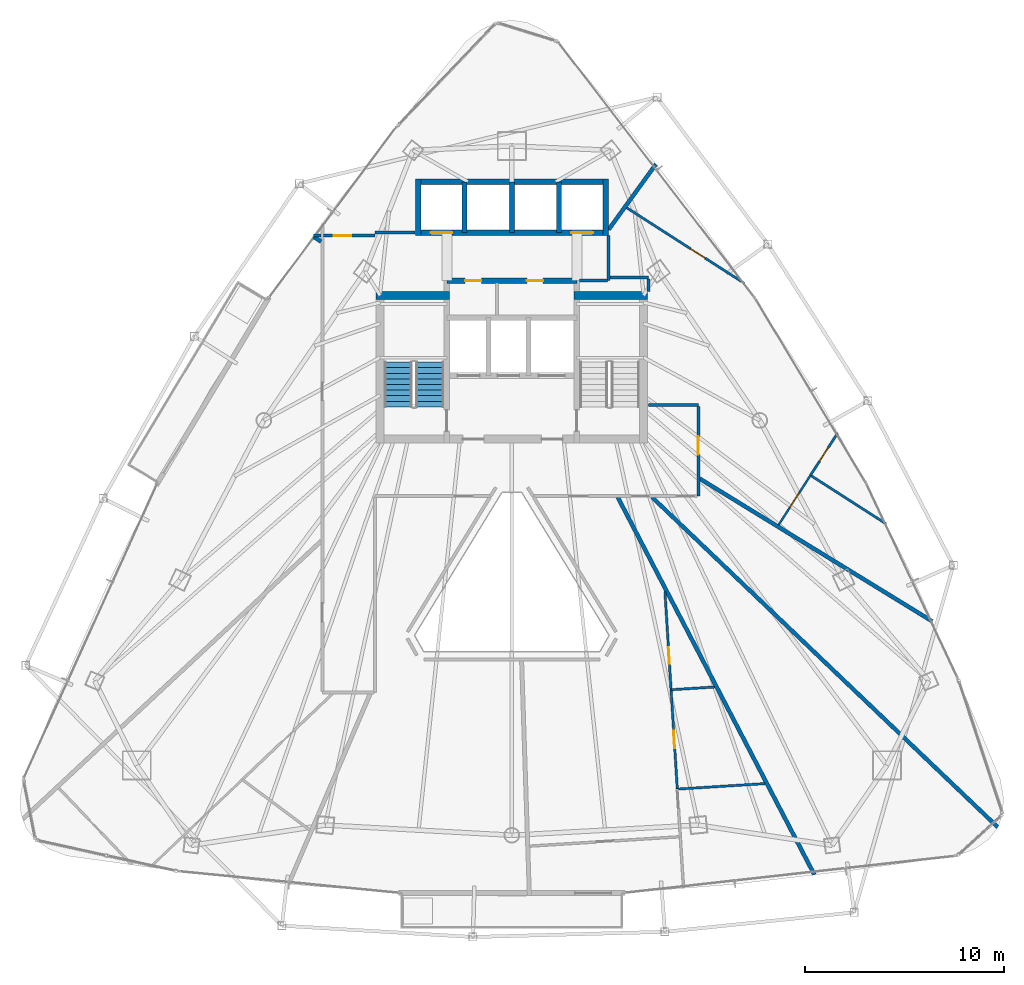
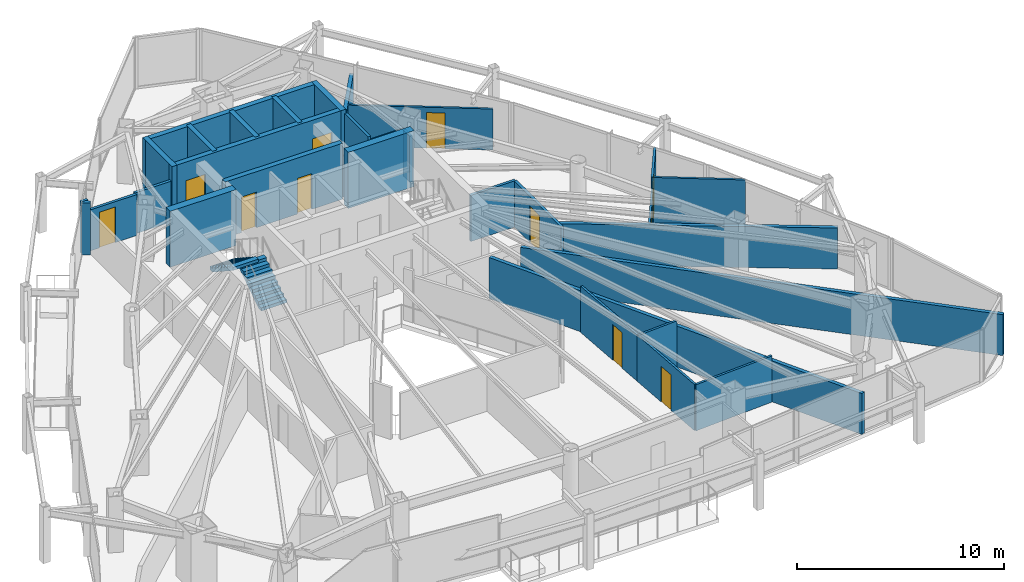
# One storey, part 25 of 29: 32 walls, 11 doors, 2 stair flights, 11 openings, 1 element without a shape of its own.
"""IFC4 building model written with IfcOpenShell, lengths in metres."""

from ifc_helpers import new_model, si_unit, direction, frame, frame_2d, origin, place, context, subcontext, project, spatial, polyline, rectangle, outline, extrude, material, layer, layer_set, type_object, element, fill, aggregate, save


model = new_model("IFC4")

# Units and contexts
model_context = context("Model", 3, precision=1e-05, world=origin(), true_north=direction((0.0, 1.0)))
body_context = subcontext(model_context, "Body", "Model", "MODEL_VIEW")
ifc_project = project(units=[si_unit("LENGTHUNIT", "METRE"), si_unit("AREAUNIT", "SQUARE_METRE"), si_unit("VOLUMEUNIT", "CUBIC_METRE"), si_unit("PLANEANGLEUNIT", "RADIAN"), si_unit("MASSUNIT", "GRAM", prefix="KILO")], contexts=[model_context])

# Site, building, storey
site_placement = place(None, origin())
site = spatial("IfcSite", under=ifc_project, at=site_placement, CompositionType="ELEMENT")
building_placement = place(site_placement, origin())
building = spatial("IfcBuilding", under=site, at=building_placement, Name="Orvanel Arch Residences", CompositionType="ELEMENT")
storey_placement = place(building_placement, frame((0.0, 0.0, 170.449951171875)))
storey = spatial("IfcBuildingStorey", under=building, at=storey_placement, Name="L48", CompositionType="ELEMENT", Elevation=170.449951171875)

# Walls
ifc_material_1 = material(Name="Concrete N50 (50 MPa)", Category="concrete")
ifc_layer_1 = layer(ifc_material_1, 0.25)
ifc_layer_set_1 = layer_set([ifc_layer_1], Name="Concrete N50 (50 MPa)")
wall_type_1 = type_object("IfcWallType", Name="SW-CORE-250", PredefinedType="SHEAR", material=ifc_layer_set_1)
for number, where, z_axis, x_axis, name in (
    (1, (30.625, 37.050048828125, 0.0), (0.0, 0.0, 1.0), (0.0, 1.0, 0.0), "L48 Passenger Lift Inter-Shaft Wall P35"),
    (2, (33.0, 37.050048828125, 0.0), (0.0, 0.0, 1.0), (0.0, 1.0, 0.0), "L48 Passenger Lift Inter-Shaft Wall P56"),
    (3, (35.375, 37.050048828125, 0.0), (0.0, 0.0, 1.0), (0.0, 1.0, 0.0), "L48 Passenger Lift Inter-Shaft Wall P64"),
):
    element("IfcWall", number, at=place(storey_placement, frame(where, z_axis=z_axis, x_axis=x_axis)), inside=storey, type_object=wall_type_1, Name=name, PredefinedType="SHEAR", context=body_context, shape_type="SweptSolid", body=[
        extrude(rectangle(XDim=2.550048828125, YDim=0.25, at=frame_2d((1.27490234375, 0.0))), origin(), (0.0, 0.0, 1.0), 3.300048828125),
    ])

# Wall, openings, doors
ifc_material_2 = material(Name="Concrete S65 (65 MPa)", Category="concrete")
ifc_layer_2 = layer(ifc_material_2, 0.280029296875)
ifc_layer_set_2 = layer_set([ifc_layer_2], Name="Concrete S65 (65 MPa)")
wall_type_2 = type_object("IfcWallType", Name="SW-CORE-280", PredefinedType="SHEAR", material=ifc_layer_set_2)
wall_1_placement = place(storey_placement, frame((29.739990234375, 34.64990234375, 0.0), z_axis=(0.0, 0.0, 1.0), x_axis=(1.0, 0.0, 0.0)))
wall_1 = element("IfcWall", 4, at=wall_1_placement, inside=storey, type_object=wall_type_2, Name="L48 Core Service Band North Shear Wall", PredefinedType="SHEAR", context=body_context, shape_type="SweptSolid", body=[
    extrude(rectangle(XDim=6.52001953125, YDim=0.280029296875, at=frame_2d((3.260009765625, 0.0))), origin(), (0.0, 0.0, 1.0), 3.300048828125),
])
opening_1_placement = place(wall_1_placement, frame((0.9150390625, 0.0, 0.0)))
opening_1 = element("IfcOpeningElement", 5, at=opening_1_placement, cuts=wall_1, Name="Opening DS-082", PredefinedType="OPENING", context=body_context, shape_type="SweptSolid", body=[
    extrude(rectangle(XDim=0.820068359375, YDim=2.10009765625, at=frame_2d((0.41015625, 1.050048828125))), frame((0.0, 0.14990234375, 0.0), z_axis=(0.0, -1.0, 0.0), x_axis=(1.0, 0.0, 0.0)), (0.0, 0.0, 1.0), 0.300048828125),
])
opening_2_placement = place(wall_1_placement, frame((4.014892578125, 0.0, 0.0)))
opening_2 = element("IfcOpeningElement", 6, at=opening_2_placement, cuts=wall_1, Name="Opening DW-082", PredefinedType="OPENING", context=body_context, shape_type="SweptSolid", body=[
    extrude(rectangle(XDim=0.820068359375, YDim=2.10009765625, at=frame_2d((0.41015625, 1.050048828125))), frame((0.0, 0.14990234375, 0.0), z_axis=(0.0, -1.0, 0.0), x_axis=(1.0, 0.0, 0.0)), (0.0, 0.0, 1.0), 0.300048828125),
])
ifc_material_3 = material(Name="Galvanised steel fire-resisting door assembly", Category="steel")
door_type_1 = type_object("IfcDoorType", Name="DR-SVC-820", OperationType="NOTDEFINED", PredefinedType="DOOR", material=ifc_material_3)
door_1_placement = place(opening_1_placement, origin())
door_1 = element("IfcDoor", 7, at=door_1_placement, inside=storey, type_object=door_type_1, Name="DR-L48-CSVC-1 L48 Floor Cleaner's Store Door", OperationType="SINGLE_SWING_LEFT", OverallHeight=2.10009765625, OverallWidth=0.820068359375, PredefinedType="DOOR", context=body_context, shape_type="SweptSolid", body=[
    extrude(rectangle(XDim=0.820068359375, YDim=2.10009765625, at=frame_2d((0.41015625, 1.050048828125))), frame((0.0, 0.02490234375, 0.0), z_axis=(0.0, -1.0, 0.0), x_axis=(1.0, 0.0, 0.0)), (0.0, 0.0, 1.0), 0.050048828125),
])
fill(opening_1, door_1)
ifc_material_4 = material(Name="Solid-core European oak veneer fire door leaf", Category="wood")
door_type_2 = type_object("IfcDoorType", Name="DR-WET-820", OperationType="NOTDEFINED", PredefinedType="DOOR", material=ifc_material_4)
door_2_placement = place(opening_2_placement, origin())
door_2 = element("IfcDoor", 8, at=door_2_placement, inside=storey, type_object=door_type_2, Name="DR-L48-CSVC-2 L48 Core Accessible WC Door", OperationType="SINGLE_SWING_LEFT", OverallHeight=2.10009765625, OverallWidth=0.820068359375, PredefinedType="DOOR", context=body_context, shape_type="SweptSolid", body=[
    extrude(rectangle(XDim=0.820068359375, YDim=2.10009765625, at=frame_2d((0.41015625, 1.050048828125))), frame((0.0, 0.02490234375, 0.0), z_axis=(0.0, -1.0, 0.0), x_axis=(1.0, 0.0, 0.0)), (0.0, 0.0, 1.0), 0.050048828125),
])
fill(opening_2, door_2)

wall_2_placement = place(storey_placement, frame((37.840087890625, 37.050048828125, 0.0), z_axis=(0.0, 0.0, 1.0), x_axis=(-1.0, 0.0, 0.0)))
wall_2 = element("IfcWall", 9, at=wall_2_placement, inside=storey, type_object=wall_type_2, Name="L48 Passenger Lift Bank Front Shear Wall", PredefinedType="SHEAR", context=body_context, shape_type="SweptSolid", body=[
    extrude(rectangle(XDim=9.68017578125, YDim=0.280029296875, at=frame_2d((4.840087890625, 0.0))), origin(), (0.0, 0.0, 1.0), 3.300048828125),
])
opening_3_placement = place(wall_2_placement, frame((7.81494140625, 0.0, 0.0)))
opening_3 = element("IfcOpeningElement", 10, at=opening_3_placement, cuts=wall_2, Name="Opening LD-110", PredefinedType="OPENING", context=body_context, shape_type="SweptSolid", body=[
    extrude(rectangle(XDim=1.10009765625, YDim=2.199951171875, at=frame_2d((0.550048828125, 1.10009765625))), frame((0.0, 0.14990234375, 0.0), z_axis=(0.0, -1.0, 0.0), x_axis=(1.0, 0.0, 0.0)), (0.0, 0.0, 1.0), 0.300048828125),
])
opening_4_placement = place(wall_2_placement, frame((0.764892578125, 0.0, 0.0)))
opening_4 = element("IfcOpeningElement", 11, at=opening_4_placement, cuts=wall_2, Name="Opening LD-110", PredefinedType="OPENING", context=body_context, shape_type="SweptSolid", body=[
    extrude(rectangle(XDim=1.10009765625, YDim=2.199951171875, at=frame_2d((0.550048828125, 1.10009765625))), frame((0.0, 0.14990234375, 0.0), z_axis=(0.0, -1.0, 0.0), x_axis=(1.0, 0.0, 0.0)), (0.0, 0.0, 1.0), 0.300048828125),
])
door_type_3 = type_object("IfcDoorType", Name="DR-LFT-1100", OperationType="NOTDEFINED", PredefinedType="DOOR", material=ifc_material_3)
door_3_placement = place(opening_3_placement, origin())
door_3 = element("IfcDoor", 12, at=door_3_placement, inside=storey, type_object=door_type_3, Name="LD-P3-L48 L48 Passenger Lift P3 Sliding Landing Door", OperationType="DOUBLE_DOOR_SLIDING", OverallHeight=2.199951171875, OverallWidth=1.10009765625, PredefinedType="DOOR", context=body_context, shape_type="SweptSolid", body=[
    extrude(rectangle(XDim=1.10009765625, YDim=2.199951171875, at=frame_2d((0.550048828125, 1.10009765625))), frame((0.0, 0.02490234375, 0.0), z_axis=(0.0, -1.0, 0.0), x_axis=(1.0, 0.0, 0.0)), (0.0, 0.0, 1.0), 0.050048828125),
])
fill(opening_3, door_3)
door_4_placement = place(opening_4_placement, origin())
door_4 = element("IfcDoor", 13, at=door_4_placement, inside=storey, type_object=door_type_3, Name="LD-P4-L48 L48 Passenger Lift P4 Sliding Landing Door", OperationType="DOUBLE_DOOR_SLIDING", OverallHeight=2.199951171875, OverallWidth=1.10009765625, PredefinedType="DOOR", context=body_context, shape_type="SweptSolid", body=[
    extrude(rectangle(XDim=1.10009765625, YDim=2.199951171875, at=frame_2d((0.550048828125, 1.10009765625))), frame((0.0, 0.02490234375, 0.0), z_axis=(0.0, -1.0, 0.0), x_axis=(1.0, 0.0, 0.0)), (0.0, 0.0, 1.0), 0.050048828125),
])
fill(opening_4, door_4)

# Walls
wall_3_placement = place(storey_placement, frame((28.159912109375, 39.60009765625, 0.0), z_axis=(0.0, 0.0, 1.0), x_axis=(1.0, 0.0, 0.0)))
element("IfcWall", 14, at=wall_3_placement, inside=storey, type_object=wall_type_2, Name="L48 Passenger Lift Bank North Shear Wall", PredefinedType="SHEAR", context=body_context, shape_type="SweptSolid", body=[
    extrude(rectangle(XDim=9.68017578125, YDim=0.280029296875, at=frame_2d((4.840087890625, 0.0))), origin(), (0.0, 0.0, 1.0), 3.300048828125),
])
for number, where, z_axis, x_axis, name in (
    (15, (28.300048828125, 36.909912109375, 0.0), (0.0, 0.0, 1.0), (0.0, 1.0, 0.0), "L48 Passenger Lift Bank West Shear Wall"),
    (16, (37.699951171875, 36.909912109375, 0.0), (0.0, 0.0, 1.0), (0.0, 1.0, 0.0), "L48 Passenger Lift Bank East Shear Wall"),
):
    element("IfcWall", number, at=place(storey_placement, frame(where, z_axis=z_axis, x_axis=x_axis)), inside=storey, type_object=wall_type_2, Name=name, PredefinedType="SHEAR", context=body_context, shape_type="SweptSolid", body=[
        extrude(rectangle(XDim=2.830078125, YDim=0.280029296875, at=frame_2d((1.4150390625, 0.0))), origin(), (0.0, 0.0, 1.0), 3.300048828125),
    ])
ifc_layer_3 = layer(ifc_material_2, 0.39990234375)
ifc_layer_set_3 = layer_set([ifc_layer_3], Name="Concrete S65 (65 MPa)")
wall_type_3 = type_object("IfcWallType", Name="SW-CORE-400", PredefinedType="SHEAR", material=ifc_layer_set_3)
for number, where, z_axis, x_axis, name in (
    (17, (26.199951171875, 33.89990234375, 0.0), (0.0, 0.0, 1.0), (1.0, 0.0, 0.0), "L48 West Stair North Shear Wall"),
    (18, (36.1201171875, 33.89990234375, 0.0), (0.0, 0.0, 1.0), (1.0, 0.0, 0.0), "L48 East Stair North Shear Wall"),
):
    element("IfcWall", number, at=place(storey_placement, frame(where, z_axis=z_axis, x_axis=x_axis)), inside=storey, type_object=wall_type_3, Name=name, PredefinedType="SHEAR", context=body_context, shape_type="SweptSolid", body=[
        extrude(rectangle(XDim=3.679931640625, YDim=0.39990234375, at=frame_2d((1.83984375, 0.0))), origin(), (0.0, 0.0, 1.0), 3.300048828125),
    ])
ifc_material_5 = material(Name="Fire-rated plasterboard lined steel stud partition", Category="steel")
ifc_layer_4 = layer(ifc_material_5, 0.14990234375)
ifc_layer_set_4 = layer_set([ifc_layer_4], Name="Fire-rated plasterboard lined steel stud partition")
wall_type_4 = type_object("IfcWallType", Name="W-COR-150", PredefinedType="PARTITIONING", material=ifc_layer_set_4)
wall_4_placement = place(storey_placement, frame((37.85009765625, 34.64990234375, 0.0), z_axis=(0.0, 0.0, 1.0), x_axis=(0.0, 1.0, 0.0)))
element("IfcWall", 19, at=wall_4_placement, inside=storey, type_object=wall_type_4, Name="L48 Passenger Lift Lobby East Closure Wall", PredefinedType="PARTITIONING", context=body_context, shape_type="SweptSolid", body=[
    extrude(rectangle(XDim=2.260009765625, YDim=0.14990234375, at=frame_2d((1.1298828125, 0.0))), origin(), (0.0, 0.0, 1.0), 3.06005859375),
])
wall_5_placement = place(storey_placement, frame((36.385009765625, 34.64990234375, 0.0), z_axis=(0.0, 0.0, 1.0), x_axis=(1.0, 0.0, 0.0)))
element("IfcWall", 20, at=wall_5_placement, inside=storey, type_object=wall_type_4, Name="L48 Passenger Lift Lobby South-East Wall", PredefinedType="PARTITIONING", context=body_context, shape_type="SweptSolid", body=[
    extrude(rectangle(XDim=1.405029296875, YDim=0.14990234375, at=frame_2d((0.70263671875, 0.0))), origin(), (0.0, 0.0, 1.0), 2.425048828125),
])
wall_6_placement = place(storey_placement, frame((23.06298828125, 36.89990234375, 0.0), z_axis=(0.0, 0.0, 1.0), x_axis=(1.0, 0.0, 0.0)))
element("IfcWall", 21, at=wall_6_placement, inside=storey, type_object=wall_type_4, Name="L48 Corridor Fire-Rated Partition", PredefinedType="PARTITIONING", context=body_context, shape_type="SweptSolid", body=[
    extrude(rectangle(XDim=0.376953125, YDim=0.14990234375, at=frame_2d((0.1884765625, 0.0))), origin(), (0.0, 0.0, 1.0), 3.06005859375),
])

# Wall, opening, door
wall_7_placement = place(storey_placement, frame((23.56005859375, 36.89990234375, 0.0), z_axis=(0.0, 0.0, 1.0), x_axis=(1.0, 0.0, 0.0)))
wall_7 = element("IfcWall", 22, at=wall_7_placement, inside=storey, type_object=wall_type_4, Name="L48 Corridor Fire-Rated Partition", PredefinedType="PARTITIONING", context=body_context, shape_type="SweptSolid", body=[
    extrude(rectangle(XDim=2.58984375, YDim=0.14990234375, at=frame_2d((1.294921875, 0.0))), origin(), (0.0, 0.0, 1.0), 2.4130859375),
])
opening_5_placement = place(wall_7_placement, frame((0.514892578125, 0.0, 0.0)))
opening_5 = element("IfcOpeningElement", 23, at=opening_5_placement, cuts=wall_7, Name="Opening DI-088", PredefinedType="OPENING", context=body_context, shape_type="SweptSolid", body=[
    extrude(rectangle(XDim=0.8798828125, YDim=2.10009765625, at=frame_2d((0.43994140625, 1.050048828125))), frame((0.0, 0.0849609375, 0.0), z_axis=(0.0, -1.0, 0.0), x_axis=(1.0, 0.0, 0.0)), (0.0, 0.0, 1.0), 0.169921875),
])
door_type_4 = type_object("IfcDoorType", Name="DR-INT-880", OperationType="NOTDEFINED", PredefinedType="DOOR", material=ifc_material_4)
door_5_placement = place(opening_5_placement, origin())
door_5 = element("IfcDoor", 24, at=door_5_placement, inside=storey, type_object=door_type_4, Name="DR-L48-SHRD-FB7 L48 Co-Working Study Office G Door", OperationType="SINGLE_SWING_LEFT", OverallHeight=2.10009765625, OverallWidth=0.8798828125, PredefinedType="DOOR", context=body_context, shape_type="SweptSolid", body=[
    extrude(rectangle(XDim=0.8798828125, YDim=2.10009765625, at=frame_2d((0.43994140625, 1.050048828125))), frame((0.0, 0.02490234375, 0.0), z_axis=(0.0, -1.0, 0.0), x_axis=(1.0, 0.0, 0.0)), (0.0, 0.0, 1.0), 0.050048828125),
])
fill(opening_5, door_5)

# Wall
wall_8_placement = place(storey_placement, frame((39.85009765625, 28.39990234375, 0.0), z_axis=(0.0, 0.0, 1.0), x_axis=(1.0, 0.0, 0.0)))
element("IfcWall", 25, at=wall_8_placement, inside=storey, type_object=wall_type_4, Name="L48 Corridor Fire-Rated Partition", PredefinedType="PARTITIONING", context=body_context, shape_type="SweptSolid", body=[
    extrude(rectangle(XDim=2.5, YDim=0.14990234375, at=frame_2d((1.25, 0.0))), origin(), (0.0, 0.0, 1.0), 2.720947265625),
])

# Wall, opening, door
wall_9_placement = place(storey_placement, frame((42.35009765625, 28.340087890625, 0.0), z_axis=(0.0, 0.0, 1.0), x_axis=(0.0, -1.0, 0.0)))
wall_9 = element("IfcWall", 26, at=wall_9_placement, inside=storey, type_object=wall_type_4, Name="L48 Corridor Fire-Rated Partition", PredefinedType="PARTITIONING", context=body_context, shape_type="SweptSolid", body=[
    extrude(rectangle(XDim=4.489990234375, YDim=0.14990234375, at=frame_2d((2.2451171875, 0.0))), origin(), (0.0, 0.0, 1.0), 2.720947265625),
])
opening_6_placement = place(wall_9_placement, frame((1.4970703125, 0.0, 0.0)))
opening_6 = element("IfcOpeningElement", 27, at=opening_6_placement, cuts=wall_9, Name="Opening DA-092", PredefinedType="OPENING", context=body_context, shape_type="SweptSolid", body=[
    extrude(rectangle(XDim=0.919921875, YDim=2.14990234375, at=frame_2d((0.4599609375, 1.074951171875))), frame((0.0, 0.0849609375, 0.0), z_axis=(0.0, -1.0, 0.0), x_axis=(1.0, 0.0, 0.0)), (0.0, 0.0, 1.0), 0.169921875),
])
door_type_5 = type_object("IfcDoorType", Name="DR-APT-920", OperationType="NOTDEFINED", PredefinedType="DOOR", material=ifc_material_4)
door_6_placement = place(opening_6_placement, origin())
door_6 = element("IfcDoor", 28, at=door_6_placement, inside=storey, type_object=door_type_5, Name="DR-L48-D-ENT L48 Flat D Entrance Door", OperationType="SINGLE_SWING_LEFT", OverallHeight=2.14990234375, OverallWidth=0.919921875, PredefinedType="DOOR", context=body_context, shape_type="SweptSolid", body=[
    extrude(rectangle(XDim=0.919921875, YDim=2.14990234375, at=frame_2d((0.4599609375, 1.074951171875))), frame((0.0, 0.02490234375, 0.0), z_axis=(0.0, -1.0, 0.0), x_axis=(1.0, 0.0, 0.0)), (0.0, 0.0, 1.0), 0.050048828125),
])
fill(opening_6, door_6)

# Walls
wall_10_placement = place(storey_placement, frame((26.14990234375, 37.050048828125, 0.0), z_axis=(0.0, 0.0, 1.0), x_axis=(1.0, 0.0, 0.0)))
element("IfcWall", 29, at=wall_10_placement, inside=storey, type_object=wall_type_4, Name="L48 Core Perimeter Partition", PredefinedType="PARTITIONING", context=body_context, shape_type="SweptSolid", body=[
    extrude(rectangle(XDim=2.0, YDim=0.14990234375, at=frame_2d((1.0, 0.0))), origin(), (0.0, 0.0, 1.0), 2.4130859375),
])
wall_11_placement = place(storey_placement, frame((37.909912109375, 34.800048828125, 0.0), z_axis=(0.0, 0.0, 1.0), x_axis=(1.0, 0.0, 0.0)))
element("IfcWall", 30, at=wall_11_placement, inside=storey, type_object=wall_type_4, Name="L48 Core Perimeter Partition", PredefinedType="PARTITIONING", context=body_context, shape_type="SweptSolid", body=[
    extrude(rectangle(XDim=1.940185546875, YDim=0.14990234375, at=frame_2d((0.97021484375, 0.0))), origin(), (0.0, 0.0, 1.0), 2.720947265625),
])
wall_12_placement = place(storey_placement, frame((39.85009765625, 34.739990234375, 0.0), z_axis=(0.0, 0.0, 1.0), x_axis=(0.0, -1.0, 0.0)))
element("IfcWall", 31, at=wall_12_placement, inside=storey, type_object=wall_type_4, Name="L48 Core Perimeter Partition", PredefinedType="PARTITIONING", context=body_context, shape_type="SweptSolid", body=[
    extrude(rectangle(XDim=0.639892578125, YDim=0.14990234375, at=frame_2d((0.31982421875, 0.0))), origin(), (0.0, 0.0, 1.0), 2.720947265625),
])
ifc_layer_5 = layer(ifc_material_5, 0.199951171875)
ifc_layer_set_5 = layer_set([ifc_layer_5], Name="Fire-rated plasterboard lined steel stud partition")
wall_type_5 = type_object("IfcWallType", Name="W-DEM-200", PredefinedType="PARTITIONING", material=ifc_layer_set_5)
wall_13_placement = place(storey_placement, frame((38.31103515625, 23.7900390625, 0.0), z_axis=(0.0, 0.0, 1.0), x_axis=(0.461923729454, -0.886919651472, 0.0)))
element("IfcWall", 32, at=wall_13_placement, inside=storey, type_object=wall_type_5, Name="L48 Inter-Tenancy Acoustic Demising Wall", PredefinedType="PARTITIONING", context=body_context, shape_type="SweptSolid", body=[
    extrude(rectangle(XDim=21.334716796875, YDim=0.199951171875, at=frame_2d((10.66748046875, 0.0))), origin(), (0.0, 0.0, 1.0), 2.4130859375),
])
wall_14_placement = place(storey_placement, frame((23.069091796875, 36.840087890625, 0.0), z_axis=(0.0, 0.0, 1.0), x_axis=(0.842563414195, -0.538597152852, 0.0)))
element("IfcWall", 33, at=wall_14_placement, inside=storey, type_object=wall_type_5, Name="L48 Inter-Tenancy Acoustic Demising Wall", PredefinedType="PARTITIONING", context=body_context, shape_type="SweptSolid", body=[
    extrude(rectangle(XDim=0.440185546875, YDim=0.199951171875, at=frame_2d((0.22021484375, 0.0))), origin(), (0.0, 0.0, 1.0), 3.06005859375),
])
wall_15_placement = place(storey_placement, frame((37.85009765625, 37.202880859375, 0.0), z_axis=(0.0, 0.0, 1.0), x_axis=(0.586236886407, 0.810139687348, 0.0)))
element("IfcWall", 34, at=wall_15_placement, inside=storey, type_object=wall_type_5, Name="L48 Inter-Tenancy Acoustic Demising Wall", PredefinedType="PARTITIONING", context=body_context, shape_type="SweptSolid", body=[
    extrude(rectangle(XDim=4.047607421875, YDim=0.199951171875, at=frame_2d((2.02392578125, 0.0))), origin(), (0.0, 0.0, 1.0), 2.4130859375),
])
wall_16_placement = place(storey_placement, frame((54.0791015625, 17.56689453125, 0.0), z_axis=(0.0, 0.0, 1.0), x_axis=(-0.852338446262, 0.5229906051, 0.0)))
element("IfcWall", 35, at=wall_16_placement, inside=storey, type_object=wall_type_5, Name="L48 Inter-Tenancy Acoustic Demising Wall", PredefinedType="PARTITIONING", context=body_context, shape_type="SweptSolid", body=[
    extrude(rectangle(XDim=13.690673828125, YDim=0.199951171875, at=frame_2d((6.84521484375, 0.0))), origin(), (0.0, 0.0, 1.0), 2.4130859375),
])
wall_17_placement = place(storey_placement, frame((40.030029296875, 23.7900390625, 0.0), z_axis=(0.0, 0.0, 1.0), x_axis=(0.723360866179, -0.690470171174, 0.0)))
element("IfcWall", 36, at=wall_17_placement, inside=storey, type_object=wall_type_5, Name="L48 Inter-Tenancy Acoustic Demising Wall", PredefinedType="PARTITIONING", context=body_context, shape_type="SweptSolid", body=[
    extrude(rectangle(XDim=23.953369140625, YDim=0.199951171875, at=frame_2d((11.9765625, 0.0))), origin(), (0.0, 0.0, 1.0), 2.4130859375),
])

# Wall, opening, door
ifc_material_6 = material(Name="Acoustic plasterboard lined twin-stud partition", Category="gypsum")
ifc_layer_6 = layer(ifc_material_6, 0.10009765625)
ifc_layer_set_6 = layer_set([ifc_layer_6], Name="Acoustic plasterboard lined twin-stud partition")
wall_type_6 = type_object("IfcWallType", Name="W-INT-100", PredefinedType="PARTITIONING", material=ifc_layer_set_6)
wall_18_placement = place(storey_placement, frame((47.972900390625, 24.887939453125, 0.0), z_axis=(0.0, 0.0, 1.0), x_axis=(-0.54033686579, -0.841448793135, 0.0)))
wall_18 = element("IfcWall", 37, at=wall_18_placement, inside=storey, type_object=wall_type_6, Name="L48 Flat D Internal Partition", PredefinedType="PARTITIONING", context=body_context, shape_type="SweptSolid", body=[
    extrude(rectangle(XDim=2.962646484375, YDim=0.10009765625, at=frame_2d((1.4814453125, 0.0))), origin(), (0.0, 0.0, 1.0), 2.4130859375),
])
opening_7_placement = place(wall_18_placement, frame((1.041015625, 0.0, 0.0)))
opening_7 = element("IfcOpeningElement", 38, at=opening_7_placement, cuts=wall_18, Name="Opening DI-088", PredefinedType="OPENING", context=body_context, shape_type="SweptSolid", body=[
    extrude(rectangle(XDim=0.8798828125, YDim=2.10009765625, at=frame_2d((0.43994140625, 1.050048828125))), frame((0.0, 0.06005859375, 0.0), z_axis=(0.0, -1.0, 0.0), x_axis=(1.0, 0.0, 0.0)), (0.0, 0.0, 1.0), 0.1201171875),
])
door_7_placement = place(opening_7_placement, origin())
door_7 = element("IfcDoor", 39, at=door_7_placement, inside=storey, type_object=door_type_4, Name="DR-L48-D-BED1 L48 Flat D Bedroom 1 Door", OperationType="SINGLE_SWING_LEFT", OverallHeight=2.10009765625, OverallWidth=0.8798828125, PredefinedType="DOOR", context=body_context, shape_type="SweptSolid", body=[
    extrude(rectangle(XDim=0.8798828125, YDim=2.10009765625, at=frame_2d((0.43994140625, 1.050048828125))), frame((0.0, 0.02490234375, 0.0), z_axis=(0.0, -1.0, 0.0), x_axis=(1.0, 0.0, 0.0)), (0.0, 0.0, 1.0), 0.050048828125),
])
fill(opening_7, door_7)

ifc_layer_7 = layer(ifc_material_6, 0.1201171875)
ifc_layer_set_7 = layer_set([ifc_layer_7], Name="Acoustic plasterboard lined twin-stud partition")
wall_type_7 = type_object("IfcWallType", Name="W-WET-120", PredefinedType="PARTITIONING", material=ifc_layer_set_7)
wall_19_placement = place(storey_placement, frame((40.676025390625, 19.06591796875, 0.0), z_axis=(0.0, 0.0, 1.0), x_axis=(0.062350581346, -0.998054309647, 0.0)))
wall_19 = element("IfcWall", 40, at=wall_19_placement, inside=storey, type_object=wall_type_7, Name="L48 Studio A Bathroom Partition", PredefinedType="PARTITIONING", context=body_context, shape_type="SweptSolid", body=[
    extrude(rectangle(XDim=4.9375, YDim=0.1201171875, at=frame_2d((2.46875, 0.0))), origin(), (0.0, 0.0, 1.0), 2.720947265625),
])
opening_8_placement = place(wall_19_placement, frame((2.803955078125, 0.0, 0.0)))
opening_8 = element("IfcOpeningElement", 41, at=opening_8_placement, cuts=wall_19, Name="Opening DW-082", PredefinedType="OPENING", context=body_context, shape_type="SweptSolid", body=[
    extrude(rectangle(XDim=0.820068359375, YDim=2.10009765625, at=frame_2d((0.41015625, 1.050048828125))), frame((0.0, 0.070068359375, 0.0), z_axis=(0.0, -1.0, 0.0), x_axis=(1.0, 0.0, 0.0)), (0.0, 0.0, 1.0), 0.14013671875),
])
door_8_placement = place(opening_8_placement, origin())
door_8 = element("IfcDoor", 42, at=door_8_placement, inside=storey, type_object=door_type_2, Name="DR-L48-A-BATH L48 Studio A Bathroom Door", OperationType="SINGLE_SWING_RIGHT", OverallHeight=2.10009765625, OverallWidth=0.820068359375, PredefinedType="DOOR", context=body_context, shape_type="SweptSolid", body=[
    extrude(rectangle(XDim=0.820068359375, YDim=2.10009765625, at=frame_2d((0.41015625, 1.050048828125))), frame((0.0, 0.02490234375, 0.0), z_axis=(0.0, -1.0, 0.0), x_axis=(1.0, 0.0, 0.0)), (0.0, 0.0, 1.0), 0.050048828125),
])
fill(opening_8, door_8)

wall_20_placement = place(storey_placement, frame((40.98388671875, 14.137939453125, 0.0), z_axis=(0.0, 0.0, 1.0), x_axis=(0.062518380192, -0.998043812735, 0.0)))
wall_20 = element("IfcWall", 43, at=wall_20_placement, inside=storey, type_object=wall_type_7, Name="L48 Studio A Internal Partition", PredefinedType="PARTITIONING", context=body_context, shape_type="SweptSolid", body=[
    extrude(rectangle(XDim=4.99072265625, YDim=0.1201171875, at=frame_2d((2.495361328125, 0.0))), origin(), (0.0, 0.0, 1.0), 2.720947265625),
])
opening_9_placement = place(wall_20_placement, frame((2.054931640625, 0.0, 0.0)))
opening_9 = element("IfcOpeningElement", 44, at=opening_9_placement, cuts=wall_20, Name="Opening DI-088", PredefinedType="OPENING", context=body_context, shape_type="SweptSolid", body=[
    extrude(rectangle(XDim=0.8798828125, YDim=2.10009765625, at=frame_2d((0.43994140625, 1.050048828125))), frame((0.0, 0.070068359375, 0.0), z_axis=(0.0, -1.0, 0.0), x_axis=(1.0, 0.0, 0.0)), (0.0, 0.0, 1.0), 0.14013671875),
])
door_9_placement = place(opening_9_placement, origin())
door_9 = element("IfcDoor", 45, at=door_9_placement, inside=storey, type_object=door_type_4, Name="DR-L48-A-KIT L48 Studio A Kitchenette Door", OperationType="SINGLE_SWING_LEFT", OverallHeight=2.10009765625, OverallWidth=0.8798828125, PredefinedType="DOOR", context=body_context, shape_type="SweptSolid", body=[
    extrude(rectangle(XDim=0.8798828125, YDim=2.10009765625, at=frame_2d((0.43994140625, 1.050048828125))), frame((0.0, 0.02490234375, 0.0), z_axis=(0.0, -1.0, 0.0), x_axis=(1.0, 0.0, 0.0)), (0.0, 0.0, 1.0), 0.050048828125),
])
fill(opening_9, door_9)

# Walls
wall_21_placement = place(storey_placement, frame((43.1708984375, 14.27490234375, 0.0), z_axis=(0.0, 0.0, 1.0), x_axis=(-0.998044767373, -0.062503138479, 0.0)))
element("IfcWall", 46, at=wall_21_placement, inside=storey, type_object=wall_type_7, Name="L48 Studio A Bathroom Partition", PredefinedType="PARTITIONING", context=body_context, shape_type="SweptSolid", body=[
    extrude(rectangle(XDim=2.19140625, YDim=0.1201171875, at=frame_2d((1.095703125, 0.0))), origin(), (0.0, 0.0, 1.0), 2.720947265625),
])
wall_22_placement = place(storey_placement, frame((45.693115234375, 9.431884765625, 0.0), z_axis=(0.0, 0.0, 1.0), x_axis=(-0.998051500251, -0.062395535466, 0.0)))
element("IfcWall", 47, at=wall_22_placement, inside=storey, type_object=wall_type_7, Name="L48 Studio A Internal Partition", PredefinedType="PARTITIONING", context=body_context, shape_type="SweptSolid", body=[
    extrude(rectangle(XDim=4.40576171875, YDim=0.1201171875, at=frame_2d((2.202880859375, 0.0))), origin(), (0.0, 0.0, 1.0), 2.720947265625),
])

# Wall, opening, door
wall_23_placement = place(storey_placement, frame((49.3349609375, 27.008056640625, 0.0), z_axis=(0.0, 0.0, 1.0), x_axis=(-0.540512736599, -0.841335831624, 0.0)))
wall_23 = element("IfcWall", 48, at=wall_23_placement, inside=storey, type_object=wall_type_7, Name="L48 Flat D Bathroom Partition", PredefinedType="PARTITIONING", context=body_context, shape_type="SweptSolid", body=[
    extrude(rectangle(XDim=2.52001953125, YDim=0.1201171875, at=frame_2d((1.260009765625, 0.0))), origin(), (0.0, 0.0, 1.0), 3.06005859375),
])
opening_10_placement = place(wall_23_placement, frame((0.85009765625, 0.0, 0.0)))
opening_10 = element("IfcOpeningElement", 49, at=opening_10_placement, cuts=wall_23, Name="Opening DW-082", PredefinedType="OPENING", context=body_context, shape_type="SweptSolid", body=[
    extrude(rectangle(XDim=0.820068359375, YDim=2.10009765625, at=frame_2d((0.41015625, 1.050048828125))), frame((0.0, 0.070068359375, 0.0), z_axis=(0.0, -1.0, 0.0), x_axis=(1.0, 0.0, 0.0)), (0.0, 0.0, 1.0), 0.14013671875),
])
door_10_placement = place(opening_10_placement, origin())
door_10 = element("IfcDoor", 50, at=door_10_placement, inside=storey, type_object=door_type_2, Name="DR-L48-D-BATH L48 Flat D Bathroom Door", OperationType="SINGLE_SWING_RIGHT", OverallHeight=2.10009765625, OverallWidth=0.820068359375, PredefinedType="DOOR", context=body_context, shape_type="SweptSolid", body=[
    extrude(rectangle(XDim=0.820068359375, YDim=2.10009765625, at=frame_2d((0.41015625, 1.050048828125))), frame((0.0, 0.02490234375, 0.0), z_axis=(0.0, -1.0, 0.0), x_axis=(1.0, 0.0, 0.0)), (0.0, 0.0, 1.0), 0.050048828125),
])
fill(opening_10, door_10)

wall_24_placement = place(storey_placement, frame((38.751953125, 38.304931640625, 0.0), z_axis=(0.0, 0.0, 1.0), x_axis=(0.84140799898, -0.54040038791, 0.0)))
wall_24 = element("IfcWall", 51, at=wall_24_placement, inside=storey, type_object=wall_type_7, Name="L48 Flat D Internal Partition", PredefinedType="PARTITIONING", context=body_context, shape_type="SweptSolid", body=[
    extrude(rectangle(XDim=7.013427734375, YDim=0.1201171875, at=frame_2d((3.5068359375, 0.0))), origin(), (0.0, 0.0, 1.0), 2.4130859375),
])
opening_11_placement = place(wall_24_placement, frame((3.81591796875, 0.0, 0.0)))
opening_11 = element("IfcOpeningElement", 52, at=opening_11_placement, cuts=wall_24, Name="Opening DI-088", PredefinedType="OPENING", context=body_context, shape_type="SweptSolid", body=[
    extrude(rectangle(XDim=0.8798828125, YDim=2.10009765625, at=frame_2d((0.43994140625, 1.050048828125))), frame((0.0, 0.070068359375, 0.0), z_axis=(0.0, -1.0, 0.0), x_axis=(1.0, 0.0, 0.0)), (0.0, 0.0, 1.0), 0.14013671875),
])
door_11_placement = place(opening_11_placement, origin())
door_11 = element("IfcDoor", 53, at=door_11_placement, inside=storey, type_object=door_type_4, Name="DR-L48-D-KIT L48 Flat D Kitchen Door", OperationType="SINGLE_SWING_LEFT", OverallHeight=2.10009765625, OverallWidth=0.8798828125, PredefinedType="DOOR", context=body_context, shape_type="SweptSolid", body=[
    extrude(rectangle(XDim=0.8798828125, YDim=2.10009765625, at=frame_2d((0.43994140625, 1.050048828125))), frame((0.0, 0.02490234375, 0.0), z_axis=(0.0, -1.0, 0.0), x_axis=(1.0, 0.0, 0.0)), (0.0, 0.0, 1.0), 0.050048828125),
])
fill(opening_11, door_11)

# Wall
wall_25_placement = place(storey_placement, frame((51.764892578125, 22.452880859375, 0.0), z_axis=(0.0, 0.0, 1.0), x_axis=(-0.841445922542, 0.540341336044, 0.0)))
element("IfcWall", 54, at=wall_25_placement, inside=storey, type_object=wall_type_7, Name="L48 Flat D Bathroom Partition", PredefinedType="PARTITIONING", context=body_context, shape_type="SweptSolid", body=[
    extrude(rectangle(XDim=4.506591796875, YDim=0.1201171875, at=frame_2d((2.25341796875, 0.0))), origin(), (0.0, 0.0, 1.0), 3.06005859375),
])

# Stair, stair flights
ifc_material_7 = material(Name="Precast concrete N50 (50 MPa)", Category="concrete")
stair_type = type_object("IfcStairType", Name="STR-DOG-184", PredefinedType="USERDEFINED", material=ifc_material_7)
stair_placement = place(storey_placement, origin())
stair = element("IfcStair", 55, at=stair_placement, inside=storey, type_object=stair_type, Name="L48 Fire-Isolated Core Exit Stair 1", ObjectType="TWO_RETURN_STAIR", PredefinedType="USERDEFINED")
stair_flight_type = type_object("IfcStairFlightType", Name="SFL-C1-184", PredefinedType="STRAIGHT", material=ifc_material_7)
stair_flight_1_placement = place(storey_placement, frame((28.889892578125, 28.320068359375, 0.0), z_axis=(0.0, 0.0, 1.0), x_axis=(0.0, 1.0, 0.0)))
stair_flight_1 = element("IfcStairFlight", 56, at=stair_flight_1_placement, type_object=stair_flight_type, Name="ST-1 flight 1", NumberOfRisers=9, NumberOfTreads=8, PredefinedType="STRAIGHT", RiserHeight=0.183333333, TreadLength=0.28, context=body_context, shape_type="SweptSolid", body=[
    extrude(outline(polyline([(0.0, 0.0), (0.0, 0.183349609375), (0.280029296875, 0.183349609375), (0.280029296875, 0.36669921875), (0.56005859375, 0.36669921875), (0.56005859375, 0.550048828125), (0.840087890625, 0.550048828125), (0.840087890625, 0.7333984375), (1.1201171875, 0.7333984375), (1.1201171875, 0.916748046875), (1.39990234375, 0.916748046875), (1.39990234375, 1.10009765625), (1.679931640625, 1.10009765625), (1.679931640625, 1.283447265625), (1.9599609375, 1.283447265625), (1.9599609375, 1.466552734375), (2.239990234375, 1.466552734375), (2.239990234375, 1.64990234375), (2.239990234375, 1.28759765625), (0.273681640625, 0.0), (0.0, 0.0)])), frame((0.0, 0.7099609375, 0.0), z_axis=(0.0, -1.0, 0.0), x_axis=(1.0, 0.0, 0.0)), (0.0, 0.0, 1.0), 1.419921875),
])
stair_flight_2_placement = place(storey_placement, frame((27.31005859375, 30.56005859375, 1.650146484375), z_axis=(0.0, 0.0, 1.0), x_axis=(0.0, -1.0, 0.0)))
stair_flight_2 = element("IfcStairFlight", 57, at=stair_flight_2_placement, type_object=stair_flight_type, Name="ST-1 flight 2", NumberOfRisers=9, NumberOfTreads=8, PredefinedType="STRAIGHT", RiserHeight=0.183333333, TreadLength=0.28, context=body_context, shape_type="SweptSolid", body=[
    extrude(outline(polyline([(0.0, 0.0), (0.0, 0.183349609375), (0.280029296875, 0.183349609375), (0.280029296875, 0.36669921875), (0.56005859375, 0.36669921875), (0.56005859375, 0.550048828125), (0.840087890625, 0.550048828125), (0.840087890625, 0.7333984375), (1.1201171875, 0.7333984375), (1.1201171875, 0.916748046875), (1.39990234375, 0.916748046875), (1.39990234375, 1.10009765625), (1.679931640625, 1.10009765625), (1.679931640625, 1.283447265625), (1.9599609375, 1.283447265625), (1.9599609375, 1.466552734375), (2.239990234375, 1.466552734375), (2.239990234375, 1.64990234375), (2.239990234375, 1.28759765625), (0.273681640625, 0.0), (0.0, 0.0)])), frame((0.0, 0.7099609375, 0.0), z_axis=(0.0, -1.0, 0.0), x_axis=(1.0, 0.0, 0.0)), (0.0, 0.0, 1.0), 1.419921875),
])
aggregate(stair, [stair_flight_1, stair_flight_2])

save(model, "model.ifc")
